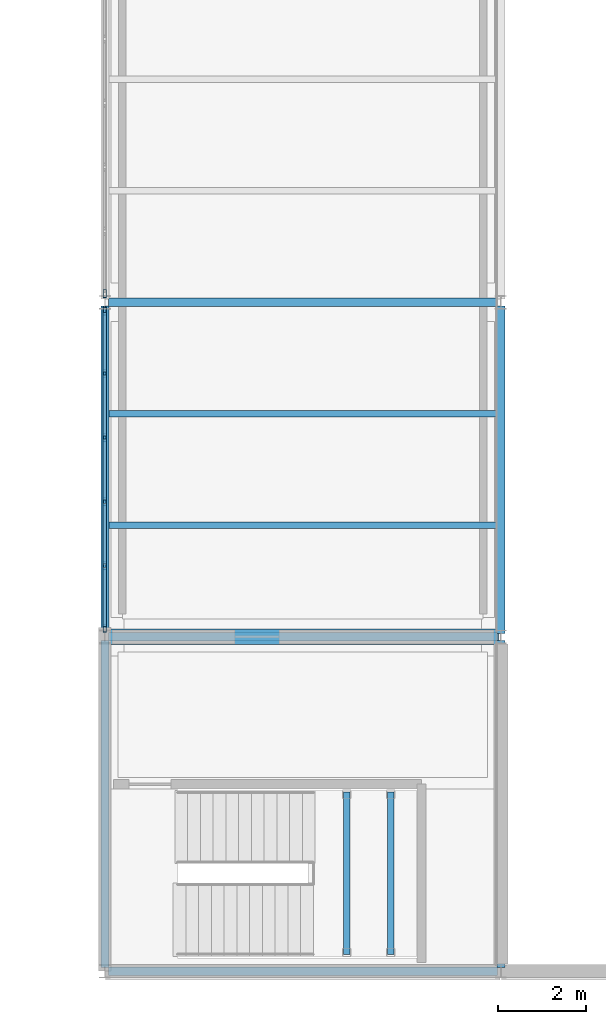
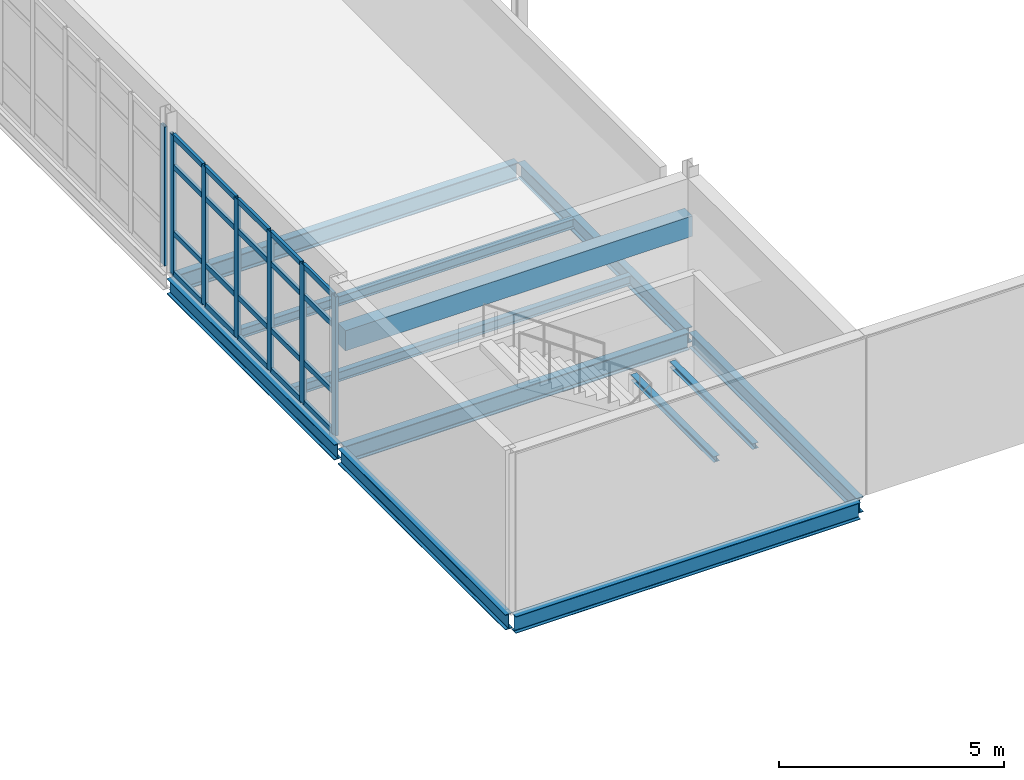
# One storey, part 111 of 174: 27 members, 12 beams, 2 elements without a shape of their own.
"""IFC4 building model written with IfcOpenShell, lengths in metres."""

import ifcopenshell
import ifcopenshell.guid

model = None  # the IFC model being written
_history = None  # IfcOwnerHistory: only IFC2X3 demands one
_inside = {}  # id of a spatial element -> (the spatial element, [elements in it])
_under = {}  # id of a project, library or spatial element -> (it, [spatial elements below it])
_declared = {}  # id of a project -> (the project, [libraries it declares])
_typed = {}  # id of a type object -> (the type object, [elements of that type])
_made_of = {}  # id of a material, layer set ... -> (it, [elements and type objects made of it])


def new_model(schema):
    """Start an empty IFC model of exactly this schema.

    Asked for "IFC4X3", IfcOpenShell would pick the latest addendum, in which some entities
    have other attributes; the version numbers below select the first issue.
    IFC2X3 requires an IfcOwnerHistory on every rooted entity: one is made here for all.
    """
    global model, _history
    if schema == "IFC4X3":
        model = ifcopenshell.file(schema_version=(4, 3, 0, 0))
    else:
        model = ifcopenshell.file(schema=schema)
    _inside.clear()
    _under.clear()
    _declared.clear()
    _typed.clear()
    _made_of.clear()
    _history = None
    if model.schema == "IFC2X3":
        org = make("IfcOrganization", Name="unknown")
        user = make(
            "IfcPersonAndOrganization",
            ThePerson=make("IfcPerson", FamilyName="unknown"),
            TheOrganization=org,
        )
        app = make(
            "IfcApplication",
            ApplicationDeveloper=org,
            Version="unknown",
            ApplicationFullName="unknown",
            ApplicationIdentifier="unknown",
        )
        _history = make(
            "IfcOwnerHistory",
            OwningUser=user,
            OwningApplication=app,
            ChangeAction="ADDED",
            CreationDate=0,
        )
    return model


def make(cls, **values):
    """One entity of the class cls with the attributes given. An attribute that is None is left unset."""
    return model.create_entity(
        cls, **{name: value for name, value in values.items() if value is not None}
    )


def rooted(cls, **values):
    """An entity with a GlobalId (a new one), such as an element, a storey or a relation."""
    return make(cls, GlobalId=ifcopenshell.guid.new(), OwnerHistory=_history, **values)


def si_unit(unit_type, name, prefix=None):
    """IfcSIUnit, for example si_unit("LENGTHUNIT", "METRE", prefix="MILLI")."""
    return make("IfcSIUnit", UnitType=unit_type, Prefix=prefix, Name=name)


def assignment(units):
    """IfcUnitAssignment: the units of a project."""
    return None if units is None else make("IfcUnitAssignment", Units=units)


def point(xyz):
    """IfcCartesianPoint."""
    return None if xyz is None else make("IfcCartesianPoint", Coordinates=xyz)


def direction(xyz):
    """IfcDirection."""
    return None if xyz is None else make("IfcDirection", DirectionRatios=xyz)


def frame(location, z_axis=None, x_axis=None):
    """IfcAxis2Placement3D, a coordinate frame: its origin and axes. An axis left out is left unset."""
    return make(
        "IfcAxis2Placement3D",
        Location=point(location),
        Axis=direction(z_axis),
        RefDirection=direction(x_axis),
    )


def frame_2d(location, x_axis=None):
    """IfcAxis2Placement2D, a coordinate frame in the plane: its origin and x axis."""
    return make(
        "IfcAxis2Placement2D", Location=point(location), RefDirection=direction(x_axis)
    )


def origin():
    """The frame at (0, 0, 0) with its axes left unset."""
    return frame((0.0, 0.0, 0.0))


def origin_2d():
    """The frame at (0, 0) in the plane with its x axis left unset."""
    return frame_2d((0.0, 0.0))


def place(relative_to, where):
    """IfcLocalPlacement: puts the frame where relative to a parent placement (None: the world)."""
    return make(
        "IfcLocalPlacement", PlacementRelTo=relative_to, RelativePlacement=where
    )


def context(
    kind, dimensions, precision=None, world=None, true_north=None, identifier=None
):
    """IfcGeometricRepresentationContext, for example the 3D "Model" context."""
    return make(
        "IfcGeometricRepresentationContext",
        ContextIdentifier=identifier,
        ContextType=kind,
        CoordinateSpaceDimension=dimensions,
        Precision=precision,
        WorldCoordinateSystem=world,
        TrueNorth=true_north,
    )


def subcontext(parent, identifier, kind, view, scale=None):
    """IfcGeometricRepresentationSubContext, for example "Body" below "Model"."""
    return make(
        "IfcGeometricRepresentationSubContext",
        ContextIdentifier=identifier,
        ContextType=kind,
        ParentContext=parent,
        TargetScale=scale,
        TargetView=view,
    )


def project(units=None, contexts=None):
    """IfcProject with its units and contexts."""
    return rooted(
        "IfcProject",
        Name="project",
        RepresentationContexts=contexts,
        UnitsInContext=assignment(units),
    )


def spatial(cls, under=None, at=None, **own):
    """A site, building, storey or space (cls), placed at a placement, below another one or the project."""
    s = rooted(cls, ObjectPlacement=at, **own)
    if under is not None:
        _under.setdefault(under.id(), (under, []))[1].append(s)
    return s


def profile(cls, at=None, kind="AREA", **sizes):
    """A parametric profile (cls). Its sizes go by their IFC names, for example OverallWidth=200.0."""
    return make(cls, ProfileType=kind, Position=at, **sizes)


def rectangle(**sizes):
    """IfcRectangleProfileDef."""
    return profile("IfcRectangleProfileDef", **sizes)


def hollow_rectangle(**sizes):
    """IfcRectangleHollowProfileDef."""
    return profile("IfcRectangleHollowProfileDef", **sizes)


def i_section(**sizes):
    """IfcIShapeProfileDef."""
    return profile("IfcIShapeProfileDef", **sizes)


def extrude(swept, where, along, depth):
    """IfcExtrudedAreaSolid: the profile swept, set in the frame where, extruded along a direction by depth."""
    return make(
        "IfcExtrudedAreaSolid",
        SweptArea=swept,
        Position=where,
        ExtrudedDirection=direction(along),
        Depth=depth,
    )


def shape(context_of_items, identifier, shape_type, items):
    """IfcShapeRepresentation: the items that make up one representation, for example the "Body"."""
    return make(
        "IfcShapeRepresentation",
        ContextOfItems=context_of_items,
        RepresentationIdentifier=identifier,
        RepresentationType=shape_type,
        Items=items,
    )


def material(Name=None, Category=None):
    """IfcMaterial."""
    return make("IfcMaterial", Name=Name, Category=Category)


def material_profile(
    of_material, cross_section, Name=None, Category=None, Priority=None
):
    """IfcMaterialProfile: a cross section and its material."""
    return make(
        "IfcMaterialProfile",
        Name=Name,
        Material=of_material,
        Profile=cross_section,
        Priority=Priority,
        Category=Category,
    )


def profile_set(profiles, Name=None, composite=None):
    """IfcMaterialProfileSet."""
    return make(
        "IfcMaterialProfileSet",
        Name=Name,
        MaterialProfiles=profiles,
        CompositeProfile=composite,
    )


def made_of(thing, what):
    """Note that an element or type object is made of a material, layer set ...; save() writes the relation."""
    if what is not None:
        _made_of.setdefault(what.id(), (what, []))[1].append(thing)
    return thing


def type_object(cls, material=None, **own):
    """A type object (cls), such as IfcWallType, which elements share."""
    return made_of(rooted(cls, **own), material)


def element(
    cls,
    number,
    at=None,
    inside=None,
    cuts=None,
    type_object=None,
    material=None,
    context=None,
    identifier="Body",
    shape_type=None,
    held_by="IfcProductDefinitionShape",
    body=None,
    shapes=None,
    **own,
):
    """One element of the class cls, such as IfcWall. Its Tag is "e" and its number.

    at: its placement. inside: the storey or other place that contains it. cuts: it is an
    opening in that element (IfcRelVoidsElement). A single representation is given by context,
    identifier, shape_type and body (its items); several are given by shapes. held_by: the class
    of the entity that holds the representations. save() writes the other relations.
    """
    e = rooted(cls, Tag="e%d" % number, ObjectPlacement=at, **own)
    if body is not None:
        shapes = [shape(context, identifier, shape_type, body)]
    if shapes is not None:
        e.Representation = make(held_by, Representations=shapes)
    if inside is not None:
        _inside.setdefault(inside.id(), (inside, []))[1].append(e)
    if cuts is not None:
        rooted(
            "IfcRelVoidsElement", RelatingBuildingElement=cuts, RelatedOpeningElement=e
        )
    if type_object is not None:
        _typed.setdefault(type_object.id(), (type_object, []))[1].append(e)
    return made_of(e, material)


def aggregate(whole, parts):
    """IfcRelAggregates: a whole, such as a stair, and the parts it consists of."""
    return rooted("IfcRelAggregates", RelatingObject=whole, RelatedObjects=parts)


def save(model, path):
    """Write the relations noted so far, then the file.

    IfcRelAggregates (storeys below a building ...), IfcRelContainedInSpatialStructure (elements
    in a storey), IfcRelDefinesByType, IfcRelAssociatesMaterial and IfcRelDeclares: one each for
    every whole, place, type object, material and project.
    """
    for whole, parts in _under.values():
        aggregate(whole, parts)
    for where, things in _inside.values():
        rooted(
            "IfcRelContainedInSpatialStructure",
            RelatedElements=things,
            RelatingStructure=where,
        )
    for kind, things in _typed.values():
        rooted("IfcRelDefinesByType", RelatedObjects=things, RelatingType=kind)
    for what, things in _made_of.values():
        rooted("IfcRelAssociatesMaterial", RelatedObjects=things, RelatingMaterial=what)
    for by, libraries in _declared.values():
        rooted("IfcRelDeclares", RelatingContext=by, RelatedDefinitions=libraries)
    model.write(path)


model = new_model("IFC4")

# Units and contexts
model_context = context("Model", 3, precision=1e-05, world=origin(), true_north=direction((0.0, 1.0)))
body_context = subcontext(model_context, "Body", "Model", "MODEL_VIEW")
ifc_project = project(units=[si_unit("LENGTHUNIT", "METRE"), si_unit("AREAUNIT", "SQUARE_METRE"), si_unit("VOLUMEUNIT", "CUBIC_METRE"), si_unit("PLANEANGLEUNIT", "RADIAN"), si_unit("MASSUNIT", "GRAM", prefix="KILO")], contexts=[model_context])

# Site, building, storey
site_placement = place(None, origin())
site = spatial("IfcSite", under=ifc_project, at=site_placement, CompositionType="ELEMENT")
building_placement = place(site_placement, origin())
building = spatial("IfcBuilding", under=site, at=building_placement, Name="Caisbarro Railhouse Central Library", CompositionType="ELEMENT")
storey_placement = place(building_placement, frame((0.0, 0.0, 5.0400390625)))
storey = spatial("IfcBuildingStorey", under=building, at=storey_placement, Name="L01", CompositionType="ELEMENT", Elevation=5.0400390625)

# Beams
ifc_material_1 = material(Name="Steel ASTM A572 Grade 50", Category="steel")
ifc_material_profile_1 = material_profile(ifc_material_1, i_section(OverallWidth=0.194091796875, OverallDepth=0.468994140625, WebThickness=0.0126953125, FlangeThickness=0.0205078125, FilletRadius=0.01806640625, at=origin_2d()), Name="W460X106.0")
ifc_profile_set_1 = profile_set([ifc_material_profile_1], Name="Steel ASTM A572 Grade 50")
beam_type_1 = type_object("IfcBeamType", Name="BM-G07", PredefinedType="BEAM", material=ifc_profile_set_1)
for number, where, z_axis, x_axis, name in (
    (1, (144.080078125, 7.60009765625, -0.4345703125), (1.0, 0.0, 0.0), (0.0, 1.0, 0.0), "G07 beam L01 #1058"),
    (2, (144.080078125, 15.199951171875, -0.4345703125), (1.0, 0.0, 0.0), (0.0, 1.0, 0.0), "G07 beam L01 #1059"),
):
    element("IfcBeam", number, at=place(storey_placement, frame(where, z_axis=z_axis, x_axis=x_axis)), inside=storey, type_object=beam_type_1, Name=name, PredefinedType="BEAM", context=body_context, shape_type="SweptSolid", body=[
        extrude(i_section(OverallWidth=0.194091796875, OverallDepth=0.468994140625, WebThickness=0.0126953125, FlangeThickness=0.0205078125, FilletRadius=0.01806640625, at=origin_2d()), origin(), (0.0, 0.0, 1.0), 8.83984375),
    ])
ifc_material_profile_2 = material_profile(ifc_material_1, i_section(OverallWidth=0.180908203125, OverallDepth=0.4169921875, WebThickness=0.010986328125, FlangeThickness=0.018310546875, FilletRadius=0.01611328125, at=origin_2d()), Name="W410X85.0")
ifc_profile_set_2 = profile_set([ifc_material_profile_2], Name="Steel ASTM A572 Grade 50")
beam_type_2 = type_object("IfcBeamType", Name="BM-G09", PredefinedType="BEAM", material=ifc_profile_set_2)
beam_1_placement = place(storey_placement, frame((144.0, 0.080078125, -0.408447265625), z_axis=(0.0, 1.0, 0.0), x_axis=(-1.0, 0.0, 0.0)))
element("IfcBeam", 3, at=beam_1_placement, inside=storey, type_object=beam_type_2, Name="G09 beam L01 #1063", PredefinedType="BEAM", context=body_context, shape_type="SweptSolid", body=[
    extrude(i_section(OverallWidth=0.180908203125, OverallDepth=0.4169921875, WebThickness=0.010986328125, FlangeThickness=0.018310546875, FilletRadius=0.01611328125, at=origin_2d()), origin(), (0.0, 0.0, 1.0), 7.43994140625),
])
beam_2_placement = place(storey_placement, frame((144.0, 7.679931640625, -0.408447265625), z_axis=(0.0, 1.0, 0.0), x_axis=(-1.0, 0.0, 0.0)))
element("IfcBeam", 4, at=beam_2_placement, inside=storey, type_object=beam_type_2, Name="G09 beam L01 #1064", PredefinedType="BEAM", context=body_context, shape_type="SweptSolid", body=[
    extrude(i_section(OverallWidth=0.180908203125, OverallDepth=0.4169921875, WebThickness=0.010986328125, FlangeThickness=0.018310546875, FilletRadius=0.01611328125, at=origin_2d()), origin(), (0.0, 0.0, 1.0), 7.440185546875),
])
beam_3_placement = place(storey_placement, frame((153.0, 0.080078125, -0.408447265625), z_axis=(0.0, 1.0, 0.0), x_axis=(-1.0, 0.0, 0.0)))
element("IfcBeam", 5, at=beam_3_placement, inside=storey, type_object=beam_type_2, Name="G09 beam L01 #1068", PredefinedType="BEAM", context=body_context, shape_type="SweptSolid", body=[
    extrude(i_section(OverallWidth=0.180908203125, OverallDepth=0.4169921875, WebThickness=0.010986328125, FlangeThickness=0.018310546875, FilletRadius=0.01611328125, at=origin_2d()), origin(), (0.0, 0.0, 1.0), 7.43994140625),
])
beam_4_placement = place(storey_placement, frame((153.0, 7.679931640625, -0.408447265625), z_axis=(0.0, 1.0, 0.0), x_axis=(-1.0, 0.0, 0.0)))
element("IfcBeam", 6, at=beam_4_placement, inside=storey, type_object=beam_type_2, Name="G09 beam L01 #1069", PredefinedType="BEAM", context=body_context, shape_type="SweptSolid", body=[
    extrude(i_section(OverallWidth=0.180908203125, OverallDepth=0.4169921875, WebThickness=0.010986328125, FlangeThickness=0.018310546875, FilletRadius=0.01611328125, at=origin_2d()), origin(), (0.0, 0.0, 1.0), 7.440185546875),
])
ifc_material_profile_3 = material_profile(ifc_material_1, i_section(OverallWidth=0.14599609375, OverallDepth=0.258056640625, WebThickness=0.006103515625, FlangeThickness=0.009033203125, FilletRadius=0.010009765625, at=origin_2d()), Name="W250X32.7")
ifc_profile_set_3 = profile_set([ifc_material_profile_3], Name="Steel ASTM A572 Grade 50")
beam_type_3 = type_object("IfcBeamType", Name="BM-J05", PredefinedType="JOIST", material=ifc_profile_set_3)
for number, where, z_axis, x_axis, name in (
    (7, (144.090576171875, 10.13330078125, -0.3291015625), (1.0, 0.0, 0.0), (0.0, 1.0, 0.0), "J05 beam L01 #1073"),
    (8, (144.090576171875, 12.666748046875, -0.3291015625), (1.0, 0.0, 0.0), (0.0, 1.0, 0.0), "J05 beam L01 #1074"),
):
    element("IfcBeam", number, at=place(storey_placement, frame(where, z_axis=z_axis, x_axis=x_axis)), inside=storey, type_object=beam_type_3, Name=name, PredefinedType="JOIST", context=body_context, shape_type="SweptSolid", body=[
        extrude(i_section(OverallWidth=0.14599609375, OverallDepth=0.258056640625, WebThickness=0.006103515625, FlangeThickness=0.009033203125, FilletRadius=0.010009765625, at=origin_2d()), origin(), (0.0, 0.0, 1.0), 8.81884765625),
    ])
ifc_material_2 = material(Name="Concrete C40", Category="concrete")
ifc_material_profile_4 = material_profile(ifc_material_2, rectangle(XDim=0.35009765625, YDim=0.550048828125, at=origin_2d()), Name="RC-LIN-350X550")
ifc_profile_set_4 = profile_set([ifc_material_profile_4], Name="Concrete C40")
beam_type_4 = type_object("IfcBeamType", Name="BM-LN01", PredefinedType="LINTEL", material=ifc_profile_set_4)
beam_5_placement = place(storey_placement, frame((144.050048828125, 7.60009765625, 2.724853515625), z_axis=(1.0, 0.0, 0.0), x_axis=(0.0, 1.0, 0.0)))
element("IfcBeam", 9, at=beam_5_placement, inside=storey, type_object=beam_type_4, Name="LN01 RC core coupling lintel K9 L01", PredefinedType="LINTEL", context=body_context, shape_type="SweptSolid", body=[
    extrude(rectangle(XDim=0.35009765625, YDim=0.550048828125, at=origin_2d()), origin(), (0.0, 0.0, 1.0), 8.89990234375),
])
ifc_material_profile_5 = material_profile(ifc_material_1, i_section(OverallWidth=0.152099609375, OverallDepth=0.152099609375, WebThickness=0.005859375, FlangeThickness=0.006591796875, FilletRadius=0.008056640625, at=origin_2d()), Name="W150X22.5")
ifc_profile_set_5 = profile_set([ifc_material_profile_5], Name="Steel ASTM A572 Grade 50")
beam_type_5 = type_object("IfcBeamType", Name="BM-SL01", PredefinedType="BEAM", material=ifc_profile_set_5)
for number, where, z_axis, x_axis, name in (
    (10, (149.5, 0.3798828125, 1.89404296875), (0.0, 1.0, 0.0), (-1.0, 0.0, 0.0), "SL01 Stair Landing Support Beam K9 L01 W"),
    (11, (150.5, 0.3798828125, 1.89404296875), (0.0, 1.0, 0.0), (-1.0, 0.0, 0.0), "SL01 Stair Landing Support Beam K9 L01 E"),
):
    element("IfcBeam", number, at=place(storey_placement, frame(where, z_axis=z_axis, x_axis=x_axis)), inside=storey, type_object=beam_type_5, Name=name, PredefinedType="BEAM", context=body_context, shape_type="SweptSolid", body=[
        extrude(i_section(OverallWidth=0.152099609375, OverallDepth=0.152099609375, WebThickness=0.005859375, FlangeThickness=0.006591796875, FilletRadius=0.008056640625, at=origin_2d()), origin(), (0.0, 0.0, 1.0), 3.690185546875),
    ])
ifc_material_profile_6 = material_profile(ifc_material_1, i_section(OverallWidth=0.18994140625, OverallDepth=0.45703125, WebThickness=0.009033203125, FlangeThickness=0.014404296875, FilletRadius=0.01806640625, at=origin_2d()), Name="W460X74.0")
ifc_profile_set_6 = profile_set([ifc_material_profile_6], Name="Steel ASTM A572 Grade 50")
beam_type_6 = type_object("IfcBeamType", Name="BM-SP01", PredefinedType="SPANDREL", material=ifc_profile_set_6)
beam_6_placement = place(storey_placement, frame((144.080078125, 0.0, -0.428466796875), z_axis=(1.0, 0.0, 0.0), x_axis=(0.0, 1.0, 0.0)))
element("IfcBeam", 12, at=beam_6_placement, inside=storey, type_object=beam_type_6, Name="SP01 beam L01 #1057", PredefinedType="SPANDREL", context=body_context, shape_type="SweptSolid", body=[
    extrude(i_section(OverallWidth=0.18994140625, OverallDepth=0.45703125, WebThickness=0.009033203125, FlangeThickness=0.014404296875, FilletRadius=0.01806640625, at=origin_2d()), origin(), (0.0, 0.0, 1.0), 8.83984375),
])

# Curtain wall, members
ifc_material_3 = material(Name="Anodised architectural aluminium", Category="aluminium")
curtain_wall_type = type_object("IfcCurtainWallType", Name="CW-CW02", PredefinedType="NOTDEFINED", material=ifc_material_3)
curtain_wall_1_placement = place(storey_placement, origin())
curtain_wall_1 = element("IfcCurtainWall", 13, at=curtain_wall_1_placement, inside=storey, type_object=curtain_wall_type, Name="CW02 curtain wall L01 #88", PredefinedType="NOTDEFINED")
ifc_material_profile_7 = material_profile(ifc_material_3, hollow_rectangle(XDim=0.074951171875, YDim=0.179931640625, WallThickness=0.00439453125, at=origin_2d()), Name="ALU-MUL-75X180")
ifc_profile_set_7 = profile_set([ifc_material_profile_7], Name="Anodised architectural aluminium")
member_type_1 = type_object("IfcMemberType", Name="CWM-M01", PredefinedType="MULLION", material=ifc_profile_set_7)
member_1_placement = place(storey_placement, frame((144.0, 7.797607421875, 0.0), z_axis=(0.0, 0.0, 1.0), x_axis=(-1.0, 0.0, 0.0)))
member_1 = element("IfcMember", 14, at=member_1_placement, type_object=member_type_1, Name="CW02 mullion 1", PredefinedType="MULLION", context=body_context, shape_type="SweptSolid", body=[
    extrude(hollow_rectangle(XDim=0.074951171875, YDim=0.179931640625, WallThickness=0.00439453125, at=origin_2d()), origin(), (0.0, 0.0, 1.0), 3.77001953125),
])
member_2_placement = place(storey_placement, frame((144.0, 9.216064453125, 0.0), z_axis=(0.0, 0.0, 1.0), x_axis=(-1.0, 0.0, 0.0)))
member_2 = element("IfcMember", 15, at=member_2_placement, type_object=member_type_1, Name="CW02 mullion 2", PredefinedType="MULLION", context=body_context, shape_type="SweptSolid", body=[
    extrude(hollow_rectangle(XDim=0.074951171875, YDim=0.179931640625, WallThickness=0.00439453125, at=origin_2d()), origin(), (0.0, 0.0, 1.0), 3.77001953125),
])
member_3_placement = place(storey_placement, frame((144.0, 10.672119140625, 0.0), z_axis=(0.0, 0.0, 1.0), x_axis=(-1.0, 0.0, 0.0)))
member_3 = element("IfcMember", 16, at=member_3_placement, type_object=member_type_1, Name="CW02 mullion 3", PredefinedType="MULLION", context=body_context, shape_type="SweptSolid", body=[
    extrude(hollow_rectangle(XDim=0.074951171875, YDim=0.179931640625, WallThickness=0.00439453125, at=origin_2d()), origin(), (0.0, 0.0, 1.0), 3.77001953125),
])
member_4_placement = place(storey_placement, frame((144.0, 12.1279296875, 0.0), z_axis=(0.0, 0.0, 1.0), x_axis=(-1.0, 0.0, 0.0)))
member_4 = element("IfcMember", 17, at=member_4_placement, type_object=member_type_1, Name="CW02 mullion 4", PredefinedType="MULLION", context=body_context, shape_type="SweptSolid", body=[
    extrude(hollow_rectangle(XDim=0.074951171875, YDim=0.179931640625, WallThickness=0.00439453125, at=origin_2d()), origin(), (0.0, 0.0, 1.0), 3.77001953125),
])
member_5_placement = place(storey_placement, frame((144.0, 13.583984375, 0.0), z_axis=(0.0, 0.0, 1.0), x_axis=(-1.0, 0.0, 0.0)))
member_5 = element("IfcMember", 18, at=member_5_placement, type_object=member_type_1, Name="CW02 mullion 5", PredefinedType="MULLION", context=body_context, shape_type="SweptSolid", body=[
    extrude(hollow_rectangle(XDim=0.074951171875, YDim=0.179931640625, WallThickness=0.00439453125, at=origin_2d()), origin(), (0.0, 0.0, 1.0), 3.77001953125),
])
member_6_placement = place(storey_placement, frame((144.0, 15.00244140625, 0.0), z_axis=(0.0, 0.0, 1.0), x_axis=(-1.0, 0.0, 0.0)))
member_6 = element("IfcMember", 19, at=member_6_placement, type_object=member_type_1, Name="CW02 mullion 6", PredefinedType="MULLION", context=body_context, shape_type="SweptSolid", body=[
    extrude(hollow_rectangle(XDim=0.074951171875, YDim=0.179931640625, WallThickness=0.00439453125, at=origin_2d()), origin(), (0.0, 0.0, 1.0), 3.77001953125),
])

# Curtain wall, member
curtain_wall_2_placement = place(storey_placement, origin())
curtain_wall_2 = element("IfcCurtainWall", 20, at=curtain_wall_2_placement, inside=storey, type_object=curtain_wall_type, Name="CW02 curtain wall L01 #89", PredefinedType="NOTDEFINED")
member_7_placement = place(storey_placement, frame((144.0, 15.3974609375, 0.0), z_axis=(0.0, 0.0, 1.0), x_axis=(-1.0, 0.0, 0.0)))
member_7 = element("IfcMember", 21, at=member_7_placement, type_object=member_type_1, Name="CW02 mullion 1", PredefinedType="MULLION", context=body_context, shape_type="SweptSolid", body=[
    extrude(hollow_rectangle(XDim=0.074951171875, YDim=0.179931640625, WallThickness=0.00439453125, at=origin_2d()), origin(), (0.0, 0.0, 1.0), 3.77001953125),
])
aggregate(curtain_wall_2, [member_7])

# Member
ifc_material_profile_8 = material_profile(ifc_material_3, hollow_rectangle(XDim=0.074951171875, YDim=0.139892578125, WallThickness=0.00390625, at=origin_2d()), Name="ALU-TRN-75X140")
ifc_profile_set_8 = profile_set([ifc_material_profile_8], Name="Anodised architectural aluminium")
member_type_2 = type_object("IfcMemberType", Name="CWT-T01", PredefinedType="USERDEFINED", material=ifc_profile_set_8)
member_8_placement = place(storey_placement, frame((144.0, 7.8349609375, 0.037353515625), z_axis=(0.0, 1.0, 0.0), x_axis=(-1.0, 0.0, 0.0)))
member_8 = element("IfcMember", 22, at=member_8_placement, type_object=member_type_2, Name="CW02 transom 1.1", ObjectType="TRANSOM", PredefinedType="USERDEFINED", context=body_context, shape_type="SweptSolid", body=[
    extrude(hollow_rectangle(XDim=0.074951171875, YDim=0.139892578125, WallThickness=0.00390625, at=origin_2d()), origin(), (0.0, 0.0, 1.0), 1.343505859375),
])

member_9_placement = place(storey_placement, frame((144.0, 7.8349609375, 1.119873046875), z_axis=(0.0, 1.0, 0.0), x_axis=(-1.0, 0.0, 0.0)))
member_9 = element("IfcMember", 23, at=member_9_placement, type_object=member_type_2, Name="CW02 transom 1.2", ObjectType="TRANSOM", PredefinedType="USERDEFINED", context=body_context, shape_type="SweptSolid", body=[
    extrude(hollow_rectangle(XDim=0.074951171875, YDim=0.139892578125, WallThickness=0.00390625, at=origin_2d()), origin(), (0.0, 0.0, 1.0), 1.343505859375),
])

member_10_placement = place(storey_placement, frame((144.0, 7.8349609375, 2.919921875), z_axis=(0.0, 1.0, 0.0), x_axis=(-1.0, 0.0, 0.0)))
member_10 = element("IfcMember", 24, at=member_10_placement, type_object=member_type_2, Name="CW02 transom 1.3", ObjectType="TRANSOM", PredefinedType="USERDEFINED", context=body_context, shape_type="SweptSolid", body=[
    extrude(hollow_rectangle(XDim=0.074951171875, YDim=0.139892578125, WallThickness=0.00390625, at=origin_2d()), origin(), (0.0, 0.0, 1.0), 1.343505859375),
])

member_11_placement = place(storey_placement, frame((144.0, 7.8349609375, 3.732421875), z_axis=(0.0, 1.0, 0.0), x_axis=(-1.0, 0.0, 0.0)))
member_11 = element("IfcMember", 25, at=member_11_placement, type_object=member_type_2, Name="CW02 transom 1.4", ObjectType="TRANSOM", PredefinedType="USERDEFINED", context=body_context, shape_type="SweptSolid", body=[
    extrude(hollow_rectangle(XDim=0.074951171875, YDim=0.139892578125, WallThickness=0.00390625, at=origin_2d()), origin(), (0.0, 0.0, 1.0), 1.343505859375),
])

member_12_placement = place(storey_placement, frame((144.0, 9.25341796875, 0.037353515625), z_axis=(0.0, 1.0, 0.0), x_axis=(-1.0, 0.0, 0.0)))
member_12 = element("IfcMember", 26, at=member_12_placement, type_object=member_type_2, Name="CW02 transom 2.1", ObjectType="TRANSOM", PredefinedType="USERDEFINED", context=body_context, shape_type="SweptSolid", body=[
    extrude(hollow_rectangle(XDim=0.074951171875, YDim=0.139892578125, WallThickness=0.00390625, at=origin_2d()), origin(), (0.0, 0.0, 1.0), 1.381103515625),
])

member_13_placement = place(storey_placement, frame((144.0, 9.25341796875, 1.119873046875), z_axis=(0.0, 1.0, 0.0), x_axis=(-1.0, 0.0, 0.0)))
member_13 = element("IfcMember", 27, at=member_13_placement, type_object=member_type_2, Name="CW02 transom 2.2", ObjectType="TRANSOM", PredefinedType="USERDEFINED", context=body_context, shape_type="SweptSolid", body=[
    extrude(hollow_rectangle(XDim=0.074951171875, YDim=0.139892578125, WallThickness=0.00390625, at=origin_2d()), origin(), (0.0, 0.0, 1.0), 1.381103515625),
])

member_14_placement = place(storey_placement, frame((144.0, 9.25341796875, 2.919921875), z_axis=(0.0, 1.0, 0.0), x_axis=(-1.0, 0.0, 0.0)))
member_14 = element("IfcMember", 28, at=member_14_placement, type_object=member_type_2, Name="CW02 transom 2.3", ObjectType="TRANSOM", PredefinedType="USERDEFINED", context=body_context, shape_type="SweptSolid", body=[
    extrude(hollow_rectangle(XDim=0.074951171875, YDim=0.139892578125, WallThickness=0.00390625, at=origin_2d()), origin(), (0.0, 0.0, 1.0), 1.381103515625),
])

member_15_placement = place(storey_placement, frame((144.0, 9.25341796875, 3.732421875), z_axis=(0.0, 1.0, 0.0), x_axis=(-1.0, 0.0, 0.0)))
member_15 = element("IfcMember", 29, at=member_15_placement, type_object=member_type_2, Name="CW02 transom 2.4", ObjectType="TRANSOM", PredefinedType="USERDEFINED", context=body_context, shape_type="SweptSolid", body=[
    extrude(hollow_rectangle(XDim=0.074951171875, YDim=0.139892578125, WallThickness=0.00390625, at=origin_2d()), origin(), (0.0, 0.0, 1.0), 1.381103515625),
])

member_16_placement = place(storey_placement, frame((144.0, 10.70947265625, 0.037353515625), z_axis=(0.0, 1.0, 0.0), x_axis=(-1.0, 0.0, 0.0)))
member_16 = element("IfcMember", 30, at=member_16_placement, type_object=member_type_2, Name="CW02 transom 3.1", ObjectType="TRANSOM", PredefinedType="USERDEFINED", context=body_context, shape_type="SweptSolid", body=[
    extrude(hollow_rectangle(XDim=0.074951171875, YDim=0.139892578125, WallThickness=0.00390625, at=origin_2d()), origin(), (0.0, 0.0, 1.0), 1.381103515625),
])

member_17_placement = place(storey_placement, frame((144.0, 10.70947265625, 1.119873046875), z_axis=(0.0, 1.0, 0.0), x_axis=(-1.0, 0.0, 0.0)))
member_17 = element("IfcMember", 31, at=member_17_placement, type_object=member_type_2, Name="CW02 transom 3.2", ObjectType="TRANSOM", PredefinedType="USERDEFINED", context=body_context, shape_type="SweptSolid", body=[
    extrude(hollow_rectangle(XDim=0.074951171875, YDim=0.139892578125, WallThickness=0.00390625, at=origin_2d()), origin(), (0.0, 0.0, 1.0), 1.381103515625),
])

member_18_placement = place(storey_placement, frame((144.0, 10.70947265625, 2.919921875), z_axis=(0.0, 1.0, 0.0), x_axis=(-1.0, 0.0, 0.0)))
member_18 = element("IfcMember", 32, at=member_18_placement, type_object=member_type_2, Name="CW02 transom 3.3", ObjectType="TRANSOM", PredefinedType="USERDEFINED", context=body_context, shape_type="SweptSolid", body=[
    extrude(hollow_rectangle(XDim=0.074951171875, YDim=0.139892578125, WallThickness=0.00390625, at=origin_2d()), origin(), (0.0, 0.0, 1.0), 1.381103515625),
])

member_19_placement = place(storey_placement, frame((144.0, 10.70947265625, 3.732421875), z_axis=(0.0, 1.0, 0.0), x_axis=(-1.0, 0.0, 0.0)))
member_19 = element("IfcMember", 33, at=member_19_placement, type_object=member_type_2, Name="CW02 transom 3.4", ObjectType="TRANSOM", PredefinedType="USERDEFINED", context=body_context, shape_type="SweptSolid", body=[
    extrude(hollow_rectangle(XDim=0.074951171875, YDim=0.139892578125, WallThickness=0.00390625, at=origin_2d()), origin(), (0.0, 0.0, 1.0), 1.381103515625),
])

member_20_placement = place(storey_placement, frame((144.0, 12.16552734375, 0.037353515625), z_axis=(0.0, 1.0, 0.0), x_axis=(-1.0, 0.0, 0.0)))
member_20 = element("IfcMember", 34, at=member_20_placement, type_object=member_type_2, Name="CW02 transom 4.1", ObjectType="TRANSOM", PredefinedType="USERDEFINED", context=body_context, shape_type="SweptSolid", body=[
    extrude(hollow_rectangle(XDim=0.074951171875, YDim=0.139892578125, WallThickness=0.00390625, at=origin_2d()), origin(), (0.0, 0.0, 1.0), 1.380859375),
])

member_21_placement = place(storey_placement, frame((144.0, 12.16552734375, 1.119873046875), z_axis=(0.0, 1.0, 0.0), x_axis=(-1.0, 0.0, 0.0)))
member_21 = element("IfcMember", 35, at=member_21_placement, type_object=member_type_2, Name="CW02 transom 4.2", ObjectType="TRANSOM", PredefinedType="USERDEFINED", context=body_context, shape_type="SweptSolid", body=[
    extrude(hollow_rectangle(XDim=0.074951171875, YDim=0.139892578125, WallThickness=0.00390625, at=origin_2d()), origin(), (0.0, 0.0, 1.0), 1.380859375),
])

member_22_placement = place(storey_placement, frame((144.0, 12.16552734375, 2.919921875), z_axis=(0.0, 1.0, 0.0), x_axis=(-1.0, 0.0, 0.0)))
member_22 = element("IfcMember", 36, at=member_22_placement, type_object=member_type_2, Name="CW02 transom 4.3", ObjectType="TRANSOM", PredefinedType="USERDEFINED", context=body_context, shape_type="SweptSolid", body=[
    extrude(hollow_rectangle(XDim=0.074951171875, YDim=0.139892578125, WallThickness=0.00390625, at=origin_2d()), origin(), (0.0, 0.0, 1.0), 1.380859375),
])

member_23_placement = place(storey_placement, frame((144.0, 12.16552734375, 3.732421875), z_axis=(0.0, 1.0, 0.0), x_axis=(-1.0, 0.0, 0.0)))
member_23 = element("IfcMember", 37, at=member_23_placement, type_object=member_type_2, Name="CW02 transom 4.4", ObjectType="TRANSOM", PredefinedType="USERDEFINED", context=body_context, shape_type="SweptSolid", body=[
    extrude(hollow_rectangle(XDim=0.074951171875, YDim=0.139892578125, WallThickness=0.00390625, at=origin_2d()), origin(), (0.0, 0.0, 1.0), 1.380859375),
])

member_24_placement = place(storey_placement, frame((144.0, 13.62158203125, 0.037353515625), z_axis=(0.0, 1.0, 0.0), x_axis=(-1.0, 0.0, 0.0)))
member_24 = element("IfcMember", 38, at=member_24_placement, type_object=member_type_2, Name="CW02 transom 5.1", ObjectType="TRANSOM", PredefinedType="USERDEFINED", context=body_context, shape_type="SweptSolid", body=[
    extrude(hollow_rectangle(XDim=0.074951171875, YDim=0.139892578125, WallThickness=0.00390625, at=origin_2d()), origin(), (0.0, 0.0, 1.0), 1.343505859375),
])

member_25_placement = place(storey_placement, frame((144.0, 13.62158203125, 1.119873046875), z_axis=(0.0, 1.0, 0.0), x_axis=(-1.0, 0.0, 0.0)))
member_25 = element("IfcMember", 39, at=member_25_placement, type_object=member_type_2, Name="CW02 transom 5.2", ObjectType="TRANSOM", PredefinedType="USERDEFINED", context=body_context, shape_type="SweptSolid", body=[
    extrude(hollow_rectangle(XDim=0.074951171875, YDim=0.139892578125, WallThickness=0.00390625, at=origin_2d()), origin(), (0.0, 0.0, 1.0), 1.343505859375),
])

member_26_placement = place(storey_placement, frame((144.0, 13.62158203125, 2.919921875), z_axis=(0.0, 1.0, 0.0), x_axis=(-1.0, 0.0, 0.0)))
member_26 = element("IfcMember", 40, at=member_26_placement, type_object=member_type_2, Name="CW02 transom 5.3", ObjectType="TRANSOM", PredefinedType="USERDEFINED", context=body_context, shape_type="SweptSolid", body=[
    extrude(hollow_rectangle(XDim=0.074951171875, YDim=0.139892578125, WallThickness=0.00390625, at=origin_2d()), origin(), (0.0, 0.0, 1.0), 1.343505859375),
])

member_27_placement = place(storey_placement, frame((144.0, 13.62158203125, 3.732421875), z_axis=(0.0, 1.0, 0.0), x_axis=(-1.0, 0.0, 0.0)))
member_27 = element("IfcMember", 41, at=member_27_placement, type_object=member_type_2, Name="CW02 transom 5.4", ObjectType="TRANSOM", PredefinedType="USERDEFINED", context=body_context, shape_type="SweptSolid", body=[
    extrude(hollow_rectangle(XDim=0.074951171875, YDim=0.139892578125, WallThickness=0.00390625, at=origin_2d()), origin(), (0.0, 0.0, 1.0), 1.343505859375),
])

aggregate(curtain_wall_1, [member_1, member_2, member_3, member_4, member_5, member_6, member_8, member_9, member_10, member_11, member_12, member_13, member_14, member_15, member_16, member_17, member_18, member_19, member_20, member_21, member_22, member_23, member_24, member_25, member_26, member_27])

save(model, "model.ifc")
